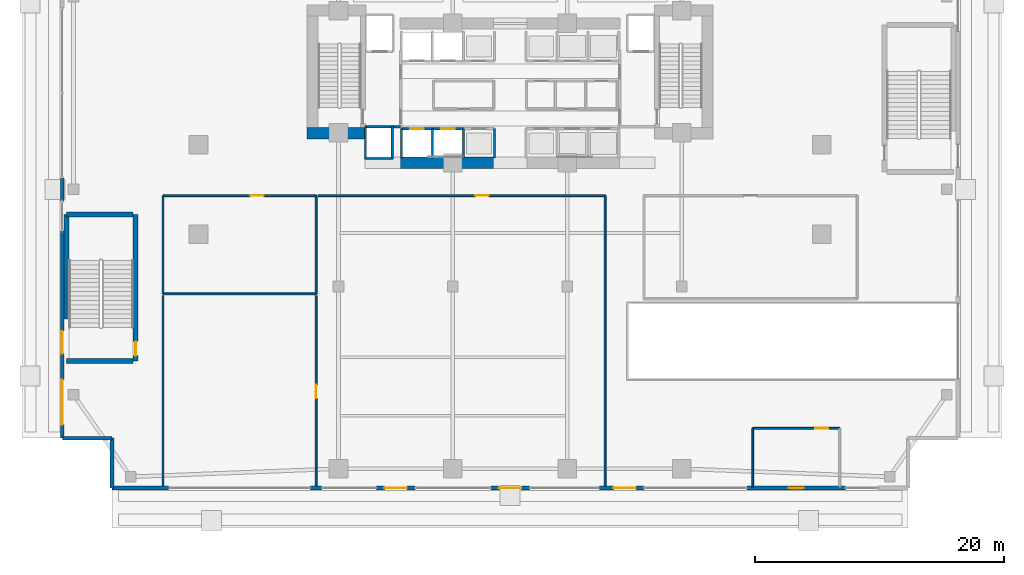
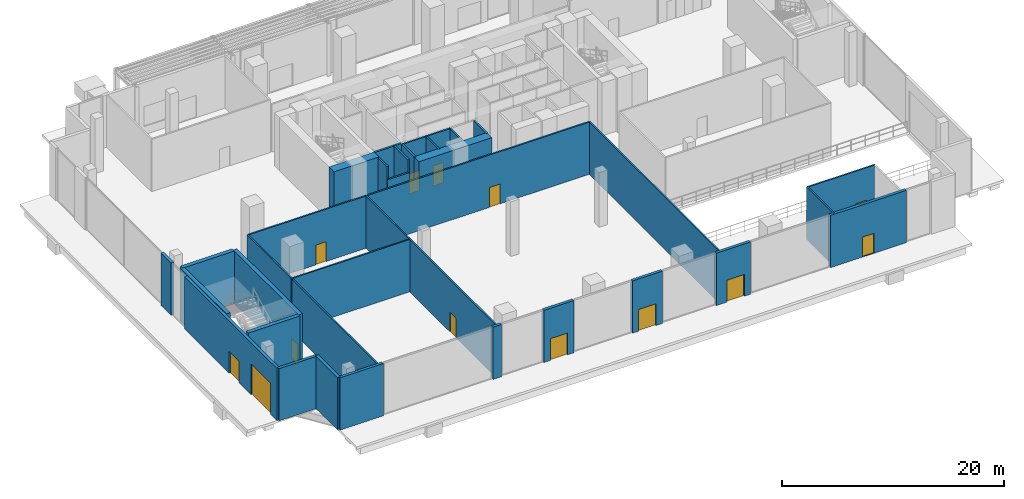
# One storey, part 28 of 39: 36 walls, 13 doors, 13 openings.
"""IFC4 building model written with IfcOpenShell, lengths in metres."""

from ifc_helpers import new_model, si_unit, direction, frame, frame_2d, origin, place, context, subcontext, project, spatial, rectangle, extrude, material, layer, layer_set, type_object, element, fill, save


model = new_model("IFC4")

# Units and contexts
model_context = context("Model", 3, precision=1e-05, world=origin(), true_north=direction((0.0, 1.0)))
body_context = subcontext(model_context, "Body", "Model", "MODEL_VIEW")
ifc_project = project(units=[si_unit("LENGTHUNIT", "METRE"), si_unit("AREAUNIT", "SQUARE_METRE"), si_unit("VOLUMEUNIT", "CUBIC_METRE"), si_unit("PLANEANGLEUNIT", "RADIAN"), si_unit("MASSUNIT", "GRAM", prefix="KILO")], contexts=[model_context])

# Site, building, storey
site_placement = place(None, origin())
site = spatial("IfcSite", under=ifc_project, at=site_placement, CompositionType="ELEMENT")
building_placement = place(site_placement, origin())
building = spatial("IfcBuilding", under=site, at=building_placement, Name="Zuhayl Quay Hotel", CompositionType="ELEMENT")
storey_placement = place(building_placement, origin())
storey = spatial("IfcBuildingStorey", under=building, at=storey_placement, Name="L00", CompositionType="ELEMENT", Elevation=0.0)

# Walls
ifc_material_1 = material(Name="Concrete C70/85", Category="concrete")
ifc_layer_1 = layer(ifc_material_1, 0.89990234375, Name="Concrete C70/85", Category="concrete")
ifc_layer_set_1 = layer_set([ifc_layer_1], Name="Concrete C70/85")
wall_type_1 = type_object("IfcWallType", Name="WL_CORE_900", PredefinedType="SHEAR", material=ifc_layer_set_1)
wall_1_placement = place(storey_placement, frame((-16.31005859375, 4.52001953125, 0.0), z_axis=(0.0, 0.0, 1.0), x_axis=(1.0, 0.0, 0.0)))
element("IfcWall", 1, at=wall_1_placement, inside=storey, type_object=wall_type_1, Name="L00 Core Shear Wall CW_SW", PredefinedType="SHEAR", context=body_context, shape_type="SweptSolid", body=[
    extrude(rectangle(XDim=4.7099609375, YDim=0.89990234375, at=frame_2d((2.35498046875, 0.0))), origin(), (0.0, 0.0, 1.0), 5.81005859375),
])
wall_2_placement = place(storey_placement, frame((-8.85009765625, 2.14990234375, 0.0), z_axis=(0.0, 0.0, 1.0), x_axis=(1.0, 0.0, 0.0)))
element("IfcWall", 2, at=wall_2_placement, inside=storey, type_object=wall_type_1, Name="L00 Core Shear Wall CW_SC_W", PredefinedType="SHEAR", context=body_context, shape_type="SweptSolid", body=[
    extrude(rectangle(XDim=7.60009765625, YDim=0.89990234375, at=frame_2d((3.800048828125, 0.0))), origin(), (0.0, 0.0, 1.0), 5.75),
])
ifc_material_2 = material(Name="Precast concrete C45/55", Category="concrete")
ifc_layer_2 = layer(ifc_material_2, 0.300048828125, Name="Precast concrete C45/55", Category="concrete")
ifc_layer_set_2 = layer_set([ifc_layer_2], Name="Precast concrete C45/55")
wall_type_2 = type_object("IfcWallType", Name="WL_EXT_300", PredefinedType="STANDARD", material=ifc_layer_set_2)
wall_3_placement = place(storey_placement, frame((-32.0, -20.0, 0.0), z_axis=(0.0, 0.0, 1.0), x_axis=(-1.0, 0.0, 0.0)))
element("IfcWall", 3, at=wall_3_placement, inside=storey, type_object=wall_type_2, Name="L00 Exterior Precast Wall ENV_L00_EW01", PredefinedType="STANDARD", context=body_context, shape_type="SweptSolid", body=[
    extrude(rectangle(XDim=4.0, YDim=0.300048828125, at=frame_2d((2.0, 0.0))), origin(), (0.0, 0.0, 1.0), 5.75),
])

# Wall, openings, doors
wall_4_placement = place(storey_placement, frame((-36.0, -20.0, 0.0), z_axis=(0.0, 0.0, 1.0), x_axis=(0.0, 1.0, 0.0)))
wall_4 = element("IfcWall", 4, at=wall_4_placement, inside=storey, type_object=wall_type_2, Name="L00 Exterior Precast Wall ENV_L00_E02_EW1", PredefinedType="STANDARD", context=body_context, shape_type="SweptSolid", body=[
    extrude(rectangle(XDim=16.64990234375, YDim=0.300048828125, at=frame_2d((8.324951171875, 0.0))), origin(), (0.0, 0.0, 1.0), 5.75),
])
opening_1_placement = place(wall_4_placement, frame((6.800048828125, 0.0, 0.0)))
opening_1 = element("IfcOpeningElement", 5, at=opening_1_placement, cuts=wall_4, Name="Opening DE1", PredefinedType="OPENING", context=body_context, shape_type="SweptSolid", body=[
    extrude(rectangle(XDim=1.800048828125, YDim=2.39990234375, at=frame_2d((0.89990234375, 1.199951171875))), frame((0.0, 0.159912109375, 0.0), z_axis=(0.0, -1.0, 0.0), x_axis=(1.0, 0.0, 0.0)), (0.0, 0.0, 1.0), 0.320068359375),
])
opening_2_placement = place(wall_4_placement, frame((1.10009765625, 0.0, 0.0)))
opening_2 = element("IfcOpeningElement", 6, at=opening_2_placement, cuts=wall_4, Name="Opening VG02", PredefinedType="OPENING", context=body_context, shape_type="SweptSolid", body=[
    extrude(rectangle(XDim=3.60009765625, YDim=3.39990234375, at=frame_2d((1.800048828125, 1.699951171875))), frame((0.0, 0.159912109375, 0.0), z_axis=(0.0, -1.0, 0.0), x_axis=(1.0, 0.0, 0.0)), (0.0, 0.0, 1.0), 0.320068359375),
])
ifc_material_3 = material(Name="Anodised Aluminium and Laminated Glass", Category="aluminium")
door_type_1 = type_object("IfcDoorType", Name="DR_EXT_ENT_1800", OperationType="DOUBLE_DOOR_SINGLE_SWING", PredefinedType="DOOR", material=ifc_material_3)
door_1_placement = place(opening_1_placement, origin())
door_1 = element("IfcDoor", 7, at=door_1_placement, inside=storey, type_object=door_type_1, Name="Exit Stair ST3 Street Discharge Door", OperationType="DOUBLE_DOOR_SINGLE_SWING", OverallHeight=2.39990234375, OverallWidth=1.800048828125, PredefinedType="DOOR", context=body_context, shape_type="SweptSolid", body=[
    extrude(rectangle(XDim=1.800048828125, YDim=2.39990234375, at=frame_2d((0.89990234375, 1.199951171875))), frame((0.0, 0.02490234375, 0.0), z_axis=(0.0, -1.0, 0.0), x_axis=(1.0, 0.0, 0.0)), (0.0, 0.0, 1.0), 0.050048828125),
])
fill(opening_1, door_1)
ifc_material_4 = material(Name="Steel ASTM A992 Grade 50", Category="steel")
door_type_2 = type_object("IfcDoorType", Name="DR_SRV_GATE_VG02", OperationType="ROLLINGUP", PredefinedType="GATE", material=ifc_material_4)
door_2_placement = place(opening_2_placement, origin())
door_2 = element("IfcDoor", 8, at=door_2_placement, inside=storey, type_object=door_type_2, Name="West Service Loading Dock Roller Shutter Gate", OperationType="ROLLINGUP", OverallHeight=3.39990234375, OverallWidth=3.60009765625, PredefinedType="GATE", context=body_context, shape_type="SweptSolid", body=[
    extrude(rectangle(XDim=3.60009765625, YDim=3.39990234375, at=frame_2d((1.800048828125, 1.699951171875))), frame((0.0, 0.02490234375, 0.0), z_axis=(0.0, -1.0, 0.0), x_axis=(1.0, 0.0, 0.0)), (0.0, 0.0, 1.0), 0.050048828125),
])
fill(opening_2, door_2)

# Wall
wall_5_placement = place(storey_placement, frame((-36.0, -0.919921875, 0.0), z_axis=(0.0, 0.0, 1.0), x_axis=(0.0, 1.0, 0.0)))
element("IfcWall", 9, at=wall_5_placement, inside=storey, type_object=wall_type_2, Name="L00 Exterior Precast Wall ENV_L00_E02_EW2", PredefinedType="STANDARD", context=body_context, shape_type="SweptSolid", body=[
    extrude(rectangle(XDim=1.83984375, YDim=0.300048828125, at=frame_2d((0.919921875, 0.0))), origin(), (0.0, 0.0, 1.0), 5.75),
])

# Wall, opening, door
wall_6_placement = place(storey_placement, frame((26.949951171875, -24.0, 0.0), z_axis=(0.0, 0.0, 1.0), x_axis=(-1.0, 0.0, 0.0)))
wall_6 = element("IfcWall", 10, at=wall_6_placement, inside=storey, type_object=wall_type_2, Name="L00 Exterior Precast Wall ENV_L00_E11_EW2", PredefinedType="STANDARD", context=body_context, shape_type="SweptSolid", body=[
    extrude(rectangle(XDim=7.89990234375, YDim=0.300048828125, at=frame_2d((3.949951171875, 0.0))), origin(), (0.0, 0.0, 1.0), 5.75),
])
opening_3_placement = place(wall_6_placement, frame((3.35009765625, 0.0, 0.0)))
opening_3 = element("IfcOpeningElement", 11, at=opening_3_placement, cuts=wall_6, Name="Opening DE2", PredefinedType="OPENING", context=body_context, shape_type="SweptSolid", body=[
    extrude(rectangle(XDim=1.199951171875, YDim=2.199951171875, at=frame_2d((0.60009765625, 1.10009765625))), frame((0.0, 0.159912109375, 0.0), z_axis=(0.0, -1.0, 0.0), x_axis=(1.0, 0.0, 0.0)), (0.0, 0.0, 1.0), 0.320068359375),
])
door_type_3 = type_object("IfcDoorType", Name="DR_EXT_EXIT_1200", OperationType="NOTDEFINED", PredefinedType="DOOR", material=ifc_material_4)
door_3_placement = place(opening_3_placement, origin())
door_3 = element("IfcDoor", 12, at=door_3_placement, inside=storey, type_object=door_type_3, Name="Fire Command Centre Final Exit Door", OperationType="SINGLE_SWING_LEFT", OverallHeight=2.199951171875, OverallWidth=1.199951171875, PredefinedType="DOOR", context=body_context, shape_type="SweptSolid", body=[
    extrude(rectangle(XDim=1.199951171875, YDim=2.199951171875, at=frame_2d((0.60009765625, 1.10009765625))), frame((0.0, 0.02490234375, 0.0), z_axis=(0.0, -1.0, 0.0), x_axis=(1.0, 0.0, 0.0)), (0.0, 0.0, 1.0), 0.050048828125),
])
fill(opening_3, door_3)

wall_7_placement = place(storey_placement, frame((10.75, -24.0, 0.0), z_axis=(0.0, 0.0, 1.0), x_axis=(-1.0, 0.0, 0.0)))
wall_7 = element("IfcWall", 13, at=wall_7_placement, inside=storey, type_object=wall_type_2, Name="L00 Exterior Precast Wall ENV_L00_E11_EW3", PredefinedType="STANDARD", context=body_context, shape_type="SweptSolid", body=[
    extrude(rectangle(XDim=3.56005859375, YDim=0.300048828125, at=frame_2d((1.780029296875, 0.0))), origin(), (0.0, 0.0, 1.0), 5.75),
])
opening_4_placement = place(wall_7_placement, frame((0.64990234375, 0.0, 0.0)))
opening_4 = element("IfcOpeningElement", 14, at=opening_4_placement, cuts=wall_7, Name="Opening DE1", PredefinedType="OPENING", context=body_context, shape_type="SweptSolid", body=[
    extrude(rectangle(XDim=1.800048828125, YDim=2.39990234375, at=frame_2d((0.89990234375, 1.199951171875))), frame((0.0, 0.159912109375, 0.0), z_axis=(0.0, -1.0, 0.0), x_axis=(1.0, 0.0, 0.0)), (0.0, 0.0, 1.0), 0.320068359375),
])
door_4_placement = place(opening_4_placement, origin())
door_4 = element("IfcDoor", 15, at=door_4_placement, inside=storey, type_object=door_type_1, Name="South-West Street Final Exit Door", OperationType="DOUBLE_DOOR_SINGLE_SWING", OverallHeight=2.39990234375, OverallWidth=1.800048828125, PredefinedType="DOOR", context=body_context, shape_type="SweptSolid", body=[
    extrude(rectangle(XDim=1.800048828125, YDim=2.39990234375, at=frame_2d((0.89990234375, 1.199951171875))), frame((0.0, 0.02490234375, 0.0), z_axis=(0.0, -1.0, 0.0), x_axis=(1.0, 0.0, 0.0)), (0.0, 0.0, 1.0), 0.050048828125),
])
fill(opening_4, door_4)

wall_8_placement = place(storey_placement, frame((1.550048828125, -24.0, 0.0), z_axis=(0.0, 0.0, 1.0), x_axis=(-1.0, 0.0, 0.0)))
wall_8 = element("IfcWall", 16, at=wall_8_placement, inside=storey, type_object=wall_type_2, Name="L00 Exterior Precast Wall ENV_L00_E11_EW4", PredefinedType="STANDARD", context=body_context, shape_type="SweptSolid", body=[
    extrude(rectangle(XDim=3.10009765625, YDim=0.300048828125, at=frame_2d((1.550048828125, 0.0))), origin(), (0.0, 0.0, 1.0), 5.75),
])
opening_5_placement = place(wall_8_placement, frame((0.64990234375, 0.0, 0.0)))
opening_5 = element("IfcOpeningElement", 17, at=opening_5_placement, cuts=wall_8, Name="Opening DE1", PredefinedType="OPENING", context=body_context, shape_type="SweptSolid", body=[
    extrude(rectangle(XDim=1.800048828125, YDim=2.39990234375, at=frame_2d((0.89990234375, 1.199951171875))), frame((0.0, 0.159912109375, 0.0), z_axis=(0.0, -1.0, 0.0), x_axis=(1.0, 0.0, 0.0)), (0.0, 0.0, 1.0), 0.320068359375),
])
door_5_placement = place(opening_5_placement, origin())
door_5 = element("IfcDoor", 18, at=door_5_placement, inside=storey, type_object=door_type_1, Name="South Lobby Final Exit Discharge Door", OperationType="DOUBLE_DOOR_SINGLE_SWING", OverallHeight=2.39990234375, OverallWidth=1.800048828125, PredefinedType="DOOR", context=body_context, shape_type="SweptSolid", body=[
    extrude(rectangle(XDim=1.800048828125, YDim=2.39990234375, at=frame_2d((0.89990234375, 1.199951171875))), frame((0.0, 0.02490234375, 0.0), z_axis=(0.0, -1.0, 0.0), x_axis=(1.0, 0.0, 0.0)), (0.0, 0.0, 1.0), 0.050048828125),
])
fill(opening_5, door_5)

wall_9_placement = place(storey_placement, frame((-7.64990234375, -24.0, 0.0), z_axis=(0.0, 0.0, 1.0), x_axis=(-1.0, 0.0, 0.0)))
wall_9 = element("IfcWall", 19, at=wall_9_placement, inside=storey, type_object=wall_type_2, Name="L00 Exterior Precast Wall ENV_L00_E11_EW5", PredefinedType="STANDARD", context=body_context, shape_type="SweptSolid", body=[
    extrude(rectangle(XDim=3.10009765625, YDim=0.300048828125, at=frame_2d((1.550048828125, 0.0))), origin(), (0.0, 0.0, 1.0), 5.75),
])
opening_6_placement = place(wall_9_placement, frame((0.64990234375, 0.0, 0.0)))
opening_6 = element("IfcOpeningElement", 20, at=opening_6_placement, cuts=wall_9, Name="Opening DE1", PredefinedType="OPENING", context=body_context, shape_type="SweptSolid", body=[
    extrude(rectangle(XDim=1.800048828125, YDim=2.39990234375, at=frame_2d((0.89990234375, 1.199951171875))), frame((0.0, 0.159912109375, 0.0), z_axis=(0.0, -1.0, 0.0), x_axis=(1.0, 0.0, 0.0)), (0.0, 0.0, 1.0), 0.320068359375),
])
door_6_placement = place(opening_6_placement, origin())
door_6 = element("IfcDoor", 21, at=door_6_placement, inside=storey, type_object=door_type_1, Name="South-East Street Final Exit Door", OperationType="DOUBLE_DOOR_SINGLE_SWING", OverallHeight=2.39990234375, OverallWidth=1.800048828125, PredefinedType="DOOR", context=body_context, shape_type="SweptSolid", body=[
    extrude(rectangle(XDim=1.800048828125, YDim=2.39990234375, at=frame_2d((0.89990234375, 1.199951171875))), frame((0.0, 0.02490234375, 0.0), z_axis=(0.0, -1.0, 0.0), x_axis=(1.0, 0.0, 0.0)), (0.0, 0.0, 1.0), 0.050048828125),
])
fill(opening_6, door_6)

# Walls
wall_10_placement = place(storey_placement, frame((-15.14990234375, -24.0, 0.0), z_axis=(0.0, 0.0, 1.0), x_axis=(-1.0, 0.0, 0.0)))
element("IfcWall", 22, at=wall_10_placement, inside=storey, type_object=wall_type_2, Name="L00 Exterior Precast Wall ENV_L00_E11_EW6", PredefinedType="STANDARD", context=body_context, shape_type="SweptSolid", body=[
    extrude(rectangle(XDim=0.900146484375, YDim=0.300048828125, at=frame_2d((0.4501953125, 0.0))), origin(), (0.0, 0.0, 1.0), 5.75),
])
wall_11_placement = place(storey_placement, frame((-27.449951171875, -24.0, 0.0), z_axis=(0.0, 0.0, 1.0), x_axis=(-1.0, 0.0, 0.0)))
element("IfcWall", 23, at=wall_11_placement, inside=storey, type_object=wall_type_2, Name="L00 Exterior Precast Wall ENV_L00_E11_EW7", PredefinedType="STANDARD", context=body_context, shape_type="SweptSolid", body=[
    extrude(rectangle(XDim=4.550048828125, YDim=0.300048828125, at=frame_2d((2.27490234375, 0.0))), origin(), (0.0, 0.0, 1.0), 5.75),
])
wall_12_placement = place(storey_placement, frame((-32.0, -24.0, 0.0), z_axis=(0.0, 0.0, 1.0), x_axis=(0.0, 1.0, 0.0)))
element("IfcWall", 24, at=wall_12_placement, inside=storey, type_object=wall_type_2, Name="L00 Exterior Precast Wall ENV_L00_EW12", PredefinedType="STANDARD", context=body_context, shape_type="SweptSolid", body=[
    extrude(rectangle(XDim=4.0, YDim=0.300048828125, at=frame_2d((2.0, 0.0))), origin(), (0.0, 0.0, 1.0), 5.75),
])
ifc_material_5 = material(Name="Acoustic Gypsum Partition STC-58")
ifc_layer_3 = layer(ifc_material_5, 0.14990234375, Name="Acoustic Gypsum Partition STC-58")
ifc_layer_set_3 = layer_set([ifc_layer_3], Name="Acoustic Gypsum Partition STC-58")
wall_type_3 = type_object("IfcWallType", Name="WL_PART_150", PredefinedType="PARTITIONING", material=ifc_layer_set_3)
wall_13_placement = place(storey_placement, frame((-27.89990234375, -8.39990234375, 0.0), z_axis=(0.0, 0.0, 1.0), x_axis=(1.0, 0.0, 0.0)))
element("IfcWall", 25, at=wall_13_placement, inside=storey, type_object=wall_type_3, Name="L00 Partition IW_L00_LOADING_S", PredefinedType="PARTITIONING", context=body_context, shape_type="SweptSolid", body=[
    extrude(rectangle(XDim=12.2998046875, YDim=0.14990234375, at=frame_2d((6.14990234375, 0.0))), origin(), (0.0, 0.0, 1.0), 5.75),
])
for number, where, z_axis, x_axis, name in (
    (26, (-27.89990234375, -8.39990234375, 0.0), (0.0, 0.0, 1.0), (0.0, 1.0, 0.0), "L00 Partition IW_L00_LOADING_W"),
    (27, (-15.60009765625, -8.39990234375, 0.0), (0.0, 0.0, 1.0), (0.0, 1.0, 0.0), "L00 Partition IW_L00_LOADING_E"),
):
    element("IfcWall", number, at=place(storey_placement, frame(where, z_axis=z_axis, x_axis=x_axis)), inside=storey, type_object=wall_type_3, Name=name, PredefinedType="PARTITIONING", context=body_context, shape_type="SweptSolid", body=[
        extrude(rectangle(XDim=7.89990234375, YDim=0.14990234375, at=frame_2d((3.949951171875, 0.0))), origin(), (0.0, 0.0, 1.0), 5.75),
    ])
wall_14_placement = place(storey_placement, frame((-27.89990234375, -23.93994140625, 0.0), z_axis=(0.0, 0.0, 1.0), x_axis=(0.0, 1.0, 0.0)))
element("IfcWall", 28, at=wall_14_placement, inside=storey, type_object=wall_type_3, Name="L00 Partition IW_L00_KITCHEN_L0_W", PredefinedType="PARTITIONING", context=body_context, shape_type="SweptSolid", body=[
    extrude(rectangle(XDim=15.3798828125, YDim=0.14990234375, at=frame_2d((7.68994140625, 0.0))), origin(), (0.0, 0.0, 1.0), 5.75),
])
wall_15_placement = place(storey_placement, frame((7.639892578125, -23.93994140625, 0.0), z_axis=(0.0, 0.0, 1.0), x_axis=(0.0, 1.0, 0.0)))
element("IfcWall", 29, at=wall_15_placement, inside=storey, type_object=wall_type_3, Name="L00 Partition IW_L00_CONCIERGE_E", PredefinedType="PARTITIONING", context=body_context, shape_type="SweptSolid", body=[
    extrude(rectangle(XDim=23.43994140625, YDim=0.14990234375, at=frame_2d((11.719970703125, 0.0))), origin(), (0.0, 0.0, 1.0), 5.75),
])
wall_16_placement = place(storey_placement, frame((19.5, -23.93994140625, 0.0), z_axis=(0.0, 0.0, 1.0), x_axis=(0.0, 1.0, 0.0)))
element("IfcWall", 30, at=wall_16_placement, inside=storey, type_object=wall_type_3, Name="L00 Partition IW_L00_FCC_W", PredefinedType="PARTITIONING", context=body_context, shape_type="SweptSolid", body=[
    extrude(rectangle(XDim=4.739990234375, YDim=0.14990234375, at=frame_2d((2.3701171875, 0.0))), origin(), (0.0, 0.0, 1.0), 5.75),
])

# Wall, opening, door
ifc_layer_4 = layer(ifc_material_5, 0.159912109375, Name="Acoustic Gypsum Partition STC-58")
ifc_layer_set_4 = layer_set([ifc_layer_4], Name="Acoustic Gypsum Partition STC-58")
wall_type_4 = type_object("IfcWallType", Name="WL_PART_CORR_160", PredefinedType="PARTITIONING", material=ifc_layer_set_4)
wall_17_placement = place(storey_placement, frame((-27.89990234375, -0.5, 0.0), z_axis=(0.0, 0.0, 1.0), x_axis=(1.0, 0.0, 0.0)))
wall_17 = element("IfcWall", 31, at=wall_17_placement, inside=storey, type_object=wall_type_4, Name="L00 Partition IW_L00_LOADING_N", PredefinedType="PARTITIONING", context=body_context, shape_type="SweptSolid", body=[
    extrude(rectangle(XDim=12.2998046875, YDim=0.159912109375, at=frame_2d((6.14990234375, 0.0))), origin(), (0.0, 0.0, 1.0), 5.75),
])
opening_7_placement = place(wall_17_placement, frame((7.010009765625, 0.0, 0.0)))
opening_7 = element("IfcOpeningElement", 32, at=opening_7_placement, cuts=wall_17, Name="Opening D05A", PredefinedType="OPENING", context=body_context, shape_type="SweptSolid", body=[
    extrude(rectangle(XDim=1.080078125, YDim=2.179931640625, at=frame_2d((0.5400390625, 1.08984375))), frame((0.0, 0.08984375, 0.0), z_axis=(0.0, -1.0, 0.0), x_axis=(1.0, 0.0, 0.0)), (0.0, 0.0, 1.0), 0.179931640625),
])
ifc_material_6 = material(Name="Solid Walnut Acoustic Fire Door")
door_type_4 = type_object("IfcDoorType", Name="DR_INT_1100", OperationType="NOTDEFINED", PredefinedType="DOOR", material=ifc_material_6)
door_7_placement = place(opening_7_placement, origin())
door_7 = element("IfcDoor", 33, at=door_7_placement, inside=storey, type_object=door_type_4, Name="L00 Service Loading and Refuse Bay Door", OperationType="SINGLE_SWING_LEFT", OverallHeight=2.179931640625, OverallWidth=1.080078125, PredefinedType="DOOR", context=body_context, shape_type="SweptSolid", body=[
    extrude(rectangle(XDim=1.080078125, YDim=2.179931640625, at=frame_2d((0.5400390625, 1.08984375))), frame((0.0, 0.02490234375, 0.0), z_axis=(0.0, -1.0, 0.0), x_axis=(1.0, 0.0, 0.0)), (0.0, 0.0, 1.0), 0.050048828125),
])
fill(opening_7, door_7)

wall_18_placement = place(storey_placement, frame((-15.60009765625, -23.93994140625, 0.0), z_axis=(0.0, 0.0, 1.0), x_axis=(0.0, 1.0, 0.0)))
wall_18 = element("IfcWall", 34, at=wall_18_placement, inside=storey, type_object=wall_type_4, Name="L00 Partition IW_L00_KITCHEN_L0_E", PredefinedType="PARTITIONING", context=body_context, shape_type="SweptSolid", body=[
    extrude(rectangle(XDim=15.3798828125, YDim=0.159912109375, at=frame_2d((7.68994140625, 0.0))), origin(), (0.0, 0.0, 1.0), 5.75),
])
opening_8_placement = place(wall_18_placement, frame((7.14990234375, 0.0, 0.0)))
opening_8 = element("IfcOpeningElement", 35, at=opening_8_placement, cuts=wall_18, Name="Opening D05A", PredefinedType="OPENING", context=body_context, shape_type="SweptSolid", body=[
    extrude(rectangle(XDim=1.080078125, YDim=2.179931640625, at=frame_2d((0.5400390625, 1.08984375))), frame((0.0, 0.08984375, 0.0), z_axis=(0.0, -1.0, 0.0), x_axis=(1.0, 0.0, 0.0)), (0.0, 0.0, 1.0), 0.179931640625),
])
door_8_placement = place(opening_8_placement, origin())
door_8 = element("IfcDoor", 36, at=door_8_placement, inside=storey, type_object=door_type_4, Name="L00 Main Production Kitchen Door", OperationType="SINGLE_SWING_RIGHT", OverallHeight=2.179931640625, OverallWidth=1.080078125, PredefinedType="DOOR", context=body_context, shape_type="SweptSolid", body=[
    extrude(rectangle(XDim=1.080078125, YDim=2.179931640625, at=frame_2d((0.5400390625, 1.08984375))), frame((0.0, 0.02490234375, 0.0), z_axis=(0.0, -1.0, 0.0), x_axis=(1.0, 0.0, 0.0)), (0.0, 0.0, 1.0), 0.050048828125),
])
fill(opening_8, door_8)

wall_19_placement = place(storey_placement, frame((-15.43994140625, -0.5, 0.0), z_axis=(0.0, 0.0, 1.0), x_axis=(1.0, 0.0, 0.0)))
wall_19 = element("IfcWall", 37, at=wall_19_placement, inside=storey, type_object=wall_type_4, Name="L00 Partition IW_L00_CONCIERGE_N", PredefinedType="PARTITIONING", context=body_context, shape_type="SweptSolid", body=[
    extrude(rectangle(XDim=23.079833984375, YDim=0.159912109375, at=frame_2d((11.5400390625, 0.0))), origin(), (0.0, 0.0, 1.0), 5.75),
])
opening_9_placement = place(wall_19_placement, frame((12.64990234375, 0.0, 0.0)))
opening_9 = element("IfcOpeningElement", 38, at=opening_9_placement, cuts=wall_19, Name="Opening D05A", PredefinedType="OPENING", context=body_context, shape_type="SweptSolid", body=[
    extrude(rectangle(XDim=1.080078125, YDim=2.179931640625, at=frame_2d((0.5400390625, 1.08984375))), frame((0.0, 0.08984375, 0.0), z_axis=(0.0, -1.0, 0.0), x_axis=(1.0, 0.0, 0.0)), (0.0, 0.0, 1.0), 0.179931640625),
])
door_9_placement = place(opening_9_placement, origin())
door_9 = element("IfcDoor", 39, at=door_9_placement, inside=storey, type_object=door_type_4, Name="L00 Reception and Concierge Lounge Door", OperationType="SINGLE_SWING_LEFT", OverallHeight=2.179931640625, OverallWidth=1.080078125, PredefinedType="DOOR", context=body_context, shape_type="SweptSolid", body=[
    extrude(rectangle(XDim=1.080078125, YDim=2.179931640625, at=frame_2d((0.5400390625, 1.08984375))), frame((0.0, 0.02490234375, 0.0), z_axis=(0.0, -1.0, 0.0), x_axis=(1.0, 0.0, 0.0)), (0.0, 0.0, 1.0), 0.050048828125),
])
fill(opening_9, door_9)

wall_20_placement = place(storey_placement, frame((19.5, -19.199951171875, 0.0), z_axis=(0.0, 0.0, 1.0), x_axis=(1.0, 0.0, 0.0)))
wall_20 = element("IfcWall", 40, at=wall_20_placement, inside=storey, type_object=wall_type_4, Name="L00 Partition IW_L00_FCC_N", PredefinedType="PARTITIONING", context=body_context, shape_type="SweptSolid", body=[
    extrude(rectangle(XDim=7.0, YDim=0.159912109375, at=frame_2d((3.5, 0.0))), origin(), (0.0, 0.0, 1.0), 5.75),
])
opening_10_placement = place(wall_20_placement, frame((5.010009765625, 0.0, 0.0)))
opening_10 = element("IfcOpeningElement", 41, at=opening_10_placement, cuts=wall_20, Name="Opening D05A", PredefinedType="OPENING", context=body_context, shape_type="SweptSolid", body=[
    extrude(rectangle(XDim=1.080078125, YDim=2.179931640625, at=frame_2d((0.5400390625, 1.08984375))), frame((0.0, 0.08984375, 0.0), z_axis=(0.0, -1.0, 0.0), x_axis=(1.0, 0.0, 0.0)), (0.0, 0.0, 1.0), 0.179931640625),
])
door_10_placement = place(opening_10_placement, origin())
door_10 = element("IfcDoor", 42, at=door_10_placement, inside=storey, type_object=door_type_4, Name="L00 Fire Command Centre Door", OperationType="SINGLE_SWING_LEFT", OverallHeight=2.179931640625, OverallWidth=1.080078125, PredefinedType="DOOR", context=body_context, shape_type="SweptSolid", body=[
    extrude(rectangle(XDim=1.080078125, YDim=2.179931640625, at=frame_2d((0.5400390625, 1.08984375))), frame((0.0, 0.02490234375, 0.0), z_axis=(0.0, -1.0, 0.0), x_axis=(1.0, 0.0, 0.0)), (0.0, 0.0, 1.0), 0.050048828125),
])
fill(opening_10, door_10)

ifc_material_7 = material(Name="Gypsum Fireboard Assembly EI-90")
ifc_layer_5 = layer(ifc_material_7, 0.1650390625, Name="Gypsum Fireboard Assembly EI-90")
ifc_layer_set_5 = layer_set([ifc_layer_5], Name="Gypsum Fireboard Assembly EI-90")
wall_type_5 = type_object("IfcWallType", Name="WL_PART_SHAFT_160", PredefinedType="PARTITIONING", material=ifc_layer_set_5)
wall_21_placement = place(storey_placement, frame((-8.72998046875, 4.8798828125, 0.0), z_axis=(0.0, 0.0, 1.0), x_axis=(1.0, 0.0, 0.0)))
wall_21 = element("IfcWall", 43, at=wall_21_placement, inside=storey, type_object=wall_type_5, Name="L00 Partition IW_L00_SH_LP1_F", PredefinedType="PARTITIONING", context=body_context, shape_type="SweptSolid", body=[
    extrude(rectangle(XDim=2.47998046875, YDim=0.1650390625, at=frame_2d((1.239990234375, 0.0))), origin(), (0.0, 0.0, 1.0), 5.75),
])
opening_11_placement = place(wall_21_placement, frame((0.68994140625, 0.0, 0.0)))
opening_11 = element("IfcOpeningElement", 44, at=opening_11_placement, cuts=wall_21, Name="Opening LD1", PredefinedType="OPENING", context=body_context, shape_type="SweptSolid", body=[
    extrude(rectangle(XDim=1.10009765625, YDim=2.25, at=frame_2d((0.550048828125, 1.125))), frame((0.0, 0.092529296875, 0.0), z_axis=(0.0, -1.0, 0.0), x_axis=(1.0, 0.0, 0.0)), (0.0, 0.0, 1.0), 0.18505859375),
])
ifc_material_8 = material(Name="Brushed Stainless Steel", Category="steel")
door_type_5 = type_object("IfcDoorType", Name="DR_LIFT_PASS_1100", OperationType="SLIDING_TO_LEFT", PredefinedType="DOOR", material=ifc_material_8)
door_11_placement = place(opening_11_placement, origin())
door_11 = element("IfcDoor", 45, at=door_11_placement, inside=storey, type_object=door_type_5, Name="L00 Lift LP1 Sliding Landing Door", OperationType="SLIDING_TO_LEFT", OverallHeight=2.25, OverallWidth=1.10009765625, PredefinedType="DOOR", context=body_context, shape_type="SweptSolid", body=[
    extrude(rectangle(XDim=1.10009765625, YDim=2.25, at=frame_2d((0.550048828125, 1.125))), frame((0.0, 0.02490234375, 0.0), z_axis=(0.0, -1.0, 0.0), x_axis=(1.0, 0.0, 0.0)), (0.0, 0.0, 1.0), 0.050048828125),
])
fill(opening_11, door_11)

wall_22_placement = place(storey_placement, frame((-6.25, 4.8798828125, 0.0), z_axis=(0.0, 0.0, 1.0), x_axis=(1.0, 0.0, 0.0)))
wall_22 = element("IfcWall", 46, at=wall_22_placement, inside=storey, type_object=wall_type_5, Name="L00 Partition IW_L00_SH_LP2_F", PredefinedType="PARTITIONING", context=body_context, shape_type="SweptSolid", body=[
    extrude(rectangle(XDim=2.5, YDim=0.1650390625, at=frame_2d((1.25, 0.0))), origin(), (0.0, 0.0, 1.0), 5.75),
])
opening_12_placement = place(wall_22_placement, frame((0.699951171875, 0.0, 0.0)))
opening_12 = element("IfcOpeningElement", 47, at=opening_12_placement, cuts=wall_22, Name="Opening LD1", PredefinedType="OPENING", context=body_context, shape_type="SweptSolid", body=[
    extrude(rectangle(XDim=1.10009765625, YDim=2.25, at=frame_2d((0.550048828125, 1.125))), frame((0.0, 0.092529296875, 0.0), z_axis=(0.0, -1.0, 0.0), x_axis=(1.0, 0.0, 0.0)), (0.0, 0.0, 1.0), 0.18505859375),
])
door_12_placement = place(opening_12_placement, origin())
door_12 = element("IfcDoor", 48, at=door_12_placement, inside=storey, type_object=door_type_5, Name="L00 Lift LP2 Sliding Landing Door", OperationType="SLIDING_TO_LEFT", OverallHeight=2.25, OverallWidth=1.10009765625, PredefinedType="DOOR", context=body_context, shape_type="SweptSolid", body=[
    extrude(rectangle(XDim=1.10009765625, YDim=2.25, at=frame_2d((0.550048828125, 1.125))), frame((0.0, 0.02490234375, 0.0), z_axis=(0.0, -1.0, 0.0), x_axis=(1.0, 0.0, 0.0)), (0.0, 0.0, 1.0), 0.050048828125),
])
fill(opening_12, door_12)

# Walls
for number, where, z_axis, x_axis, name in (
    (49, (-8.72998046875, 2.52001953125, 0.0), (0.0, 0.0, 1.0), (0.0, 1.0, 0.0), "L00 Partition IW_L00_SH_LP1_W"),
    (50, (-6.25, 2.52001953125, 0.0), (0.0, 0.0, 1.0), (0.0, 1.0, 0.0), "L00 Partition IW_L00_SH_LP1_E"),
    (51, (-3.75, 2.52001953125, 0.0), (0.0, 0.0, 1.0), (0.0, 1.0, 0.0), "L00 Partition IW_L00_SH_LP2_E"),
    (52, (-1.27001953125, 2.52001953125, 0.0), (0.0, 0.0, 1.0), (0.0, 1.0, 0.0), "L00 Partition IW_L00_SH_MP1_E"),
):
    element("IfcWall", number, at=place(storey_placement, frame(where, z_axis=z_axis, x_axis=x_axis)), inside=storey, type_object=wall_type_5, Name=name, PredefinedType="PARTITIONING", context=body_context, shape_type="SweptSolid", body=[
        extrude(rectangle(XDim=2.35986328125, YDim=0.1650390625, at=frame_2d((1.179931640625, 0.0))), origin(), (0.0, 0.0, 1.0), 5.75),
    ])
wall_23_placement = place(storey_placement, frame((-11.6298828125, 2.469970703125, 0.0), z_axis=(0.0, 0.0, 1.0), x_axis=(0.0, 1.0, 0.0)))
element("IfcWall", 53, at=wall_23_placement, inside=storey, type_object=wall_type_5, Name="L00 Partition IW_L00_RISER_W", PredefinedType="PARTITIONING", context=body_context, shape_type="SweptSolid", body=[
    extrude(rectangle(XDim=2.580078125, YDim=0.1650390625, at=frame_2d((1.2900390625, 0.0))), origin(), (0.0, 0.0, 1.0), 5.75),
])
wall_24_placement = place(storey_placement, frame((-11.7099609375, 2.469970703125, 0.0), z_axis=(0.0, 0.0, 1.0), x_axis=(1.0, 0.0, 0.0)))
element("IfcWall", 54, at=wall_24_placement, inside=storey, type_object=wall_type_5, Name="L00 Partition IW_L00_RISER_S", PredefinedType="PARTITIONING", context=body_context, shape_type="SweptSolid", body=[
    extrude(rectangle(XDim=2.31005859375, YDim=0.1650390625, at=frame_2d((1.155029296875, 0.0))), origin(), (0.0, 0.0, 1.0), 4.35009765625),
])
ifc_layer_6 = layer(ifc_material_7, 0.179931640625, Name="Gypsum Fireboard Assembly EI-90")
ifc_layer_set_6 = layer_set([ifc_layer_6], Name="Gypsum Fireboard Assembly EI-90")
wall_type_6 = type_object("IfcWallType", Name="WL_PART_SHAFT_180", PredefinedType="PARTITIONING", material=ifc_layer_set_6)
wall_25_placement = place(storey_placement, frame((-9.469970703125, 2.449951171875, 0.0), z_axis=(0.0, 0.0, 1.0), x_axis=(0.0, 1.0, 0.0)))
element("IfcWall", 55, at=wall_25_placement, inside=storey, type_object=wall_type_6, Name="L00 Partition IW_L00_RISER_E", PredefinedType="PARTITIONING", context=body_context, shape_type="SweptSolid", body=[
    extrude(rectangle(XDim=2.60009765625, YDim=0.179931640625, at=frame_2d((1.300048828125, 0.0))), origin(), (0.0, 0.0, 1.0), 5.75),
])
ifc_material_9 = material(Name="Gypsum Fireboard Assembly EI-120")
ifc_layer_7 = layer(ifc_material_9, 0.199951171875, Name="Gypsum Fireboard Assembly EI-120")
ifc_layer_set_7 = layer_set([ifc_layer_7], Name="Gypsum Fireboard Assembly EI-120")
wall_type_7 = type_object("IfcWallType", Name="WL_PART_SHAFT_200", PredefinedType="PARTITIONING", material=ifc_layer_set_7)
wall_26_placement = place(storey_placement, frame((-11.64990234375, 5.050048828125, 0.0), z_axis=(0.0, 0.0, 1.0), x_axis=(1.0, 0.0, 0.0)))
element("IfcWall", 56, at=wall_26_placement, inside=storey, type_object=wall_type_7, Name="L00 Partition IW_L00_FSAE_W_S", PredefinedType="PARTITIONING", context=body_context, shape_type="SweptSolid", body=[
    extrude(rectangle(XDim=2.849853515625, YDim=0.199951171875, at=frame_2d((1.4248046875, 0.0))), origin(), (0.0, 0.0, 1.0), 5.75),
])

# Wall, opening, door
ifc_material_10 = material(Name="Concrete C60/75", Category="concrete")
ifc_layer_8 = layer(ifc_material_10, 0.39990234375, Name="Concrete C60/75", Category="concrete")
ifc_layer_set_8 = layer_set([ifc_layer_8], Name="Concrete C60/75")
wall_type_8 = type_object("IfcWallType", Name="WL_STAIR_400", PredefinedType="SHEAR", material=ifc_layer_set_8)
wall_27_placement = place(storey_placement, frame((-30.10009765625, -13.800048828125, 0.0), z_axis=(0.0, 0.0, 1.0), x_axis=(0.0, 1.0, 0.0)))
wall_27 = element("IfcWall", 57, at=wall_27_placement, inside=storey, type_object=wall_type_8, Name="L00 Podium Stair Shear Wall SW_ST3_E", PredefinedType="SHEAR", context=body_context, shape_type="SweptSolid", body=[
    extrude(rectangle(XDim=11.800048828125, YDim=0.39990234375, at=frame_2d((5.89990234375, 0.0))), origin(), (0.0, 0.0, 1.0), 5.81005859375),
])
opening_13_placement = place(wall_27_placement, frame((0.449951171875, 0.0, 0.0)))
opening_13 = element("IfcOpeningElement", 58, at=opening_13_placement, cuts=wall_27, Name="Opening D01", PredefinedType="OPENING", context=body_context, shape_type="SweptSolid", body=[
    extrude(rectangle(XDim=1.1201171875, YDim=2.219970703125, at=frame_2d((0.56005859375, 1.10986328125))), frame((0.0, 0.2099609375, 0.0), z_axis=(0.0, -1.0, 0.0), x_axis=(1.0, 0.0, 0.0)), (0.0, 0.0, 1.0), 0.419921875),
])
door_type_6 = type_object("IfcDoorType", Name="DR_STAIR_90_1100", OperationType="NOTDEFINED", PredefinedType="DOOR", material=ifc_material_4)
door_13_placement = place(opening_13_placement, origin())
door_13 = element("IfcDoor", 59, at=door_13_placement, inside=storey, type_object=door_type_6, Name="L00 Podium Exit Stair ST3 Door", OperationType="SINGLE_SWING_RIGHT", OverallHeight=2.219970703125, OverallWidth=1.1201171875, PredefinedType="DOOR", context=body_context, shape_type="SweptSolid", body=[
    extrude(rectangle(XDim=1.1201171875, YDim=2.219970703125, at=frame_2d((0.56005859375, 1.10986328125))), frame((0.0, 0.02490234375, 0.0), z_axis=(0.0, -1.0, 0.0), x_axis=(1.0, 0.0, 0.0)), (0.0, 0.0, 1.0), 0.050048828125),
])
fill(opening_13, door_13)

# Walls
for number, where, z_axis, x_axis, name in (
    (60, (-35.64990234375, -13.800048828125, 0.0), (0.0, 0.0, 1.0), (1.0, 0.0, 0.0), "L00 Podium Stair Shear Wall SW_ST3_S"),
    (61, (-35.64990234375, -2.0, 0.0), (0.0, 0.0, 1.0), (1.0, 0.0, 0.0), "L00 Podium Stair Shear Wall SW_ST3_N"),
):
    element("IfcWall", number, at=place(storey_placement, frame(where, z_axis=z_axis, x_axis=x_axis)), inside=storey, type_object=wall_type_8, Name=name, PredefinedType="SHEAR", context=body_context, shape_type="SweptSolid", body=[
        extrude(rectangle(XDim=5.349853515625, YDim=0.39990234375, at=frame_2d((2.6748046875, 0.0))), origin(), (0.0, 0.0, 1.0), 5.81005859375),
    ])
wall_28_placement = place(storey_placement, frame((-35.64990234375, -10.39990234375, 0.0), z_axis=(0.0, 0.0, 1.0), x_axis=(0.0, 1.0, 0.0)))
element("IfcWall", 62, at=wall_28_placement, inside=storey, type_object=wall_type_8, Name="L00 Podium Stair Shear Wall SW_ST3_W", PredefinedType="SHEAR", context=body_context, shape_type="SweptSolid", body=[
    extrude(rectangle(XDim=8.39990234375, YDim=0.39990234375, at=frame_2d((4.199951171875, 0.0))), origin(), (0.0, 0.0, 1.0), 5.81005859375),
])

save(model, "model.ifc")
